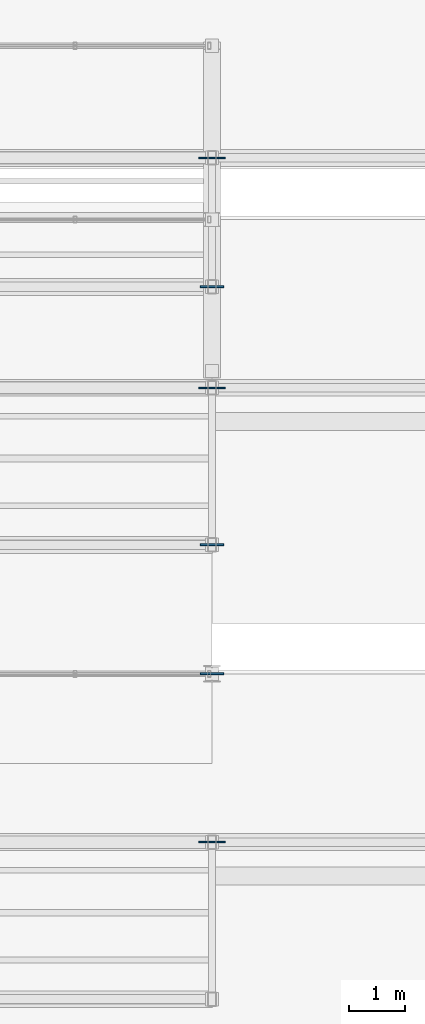
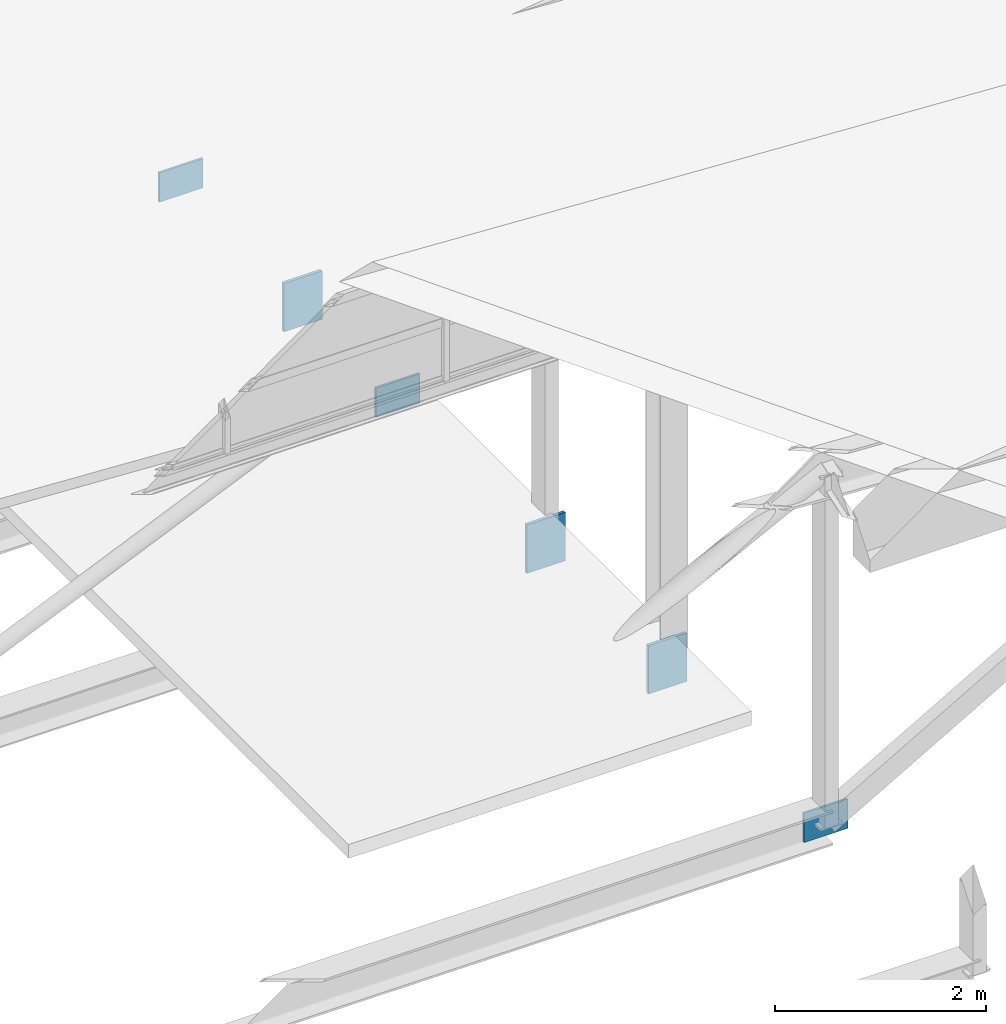
# One storey, part 138 of 141: 6 plates.
"""IFC4 building model written with IfcOpenShell, lengths in metres."""

from ifc_helpers import new_model, si_unit, direction, frame, origin, origin_2d, place, context, subcontext, project, spatial, rectangle, extrude, material, layer, layer_set, type_object, element, save


model = new_model("IFC4")

# Units and contexts
model_context = context("Model", 3, precision=1e-05, world=origin(), true_north=direction((0.0, 1.0)))
body_context = subcontext(model_context, "Body", "Model", "MODEL_VIEW")
ifc_project = project(units=[si_unit("LENGTHUNIT", "METRE"), si_unit("AREAUNIT", "SQUARE_METRE"), si_unit("VOLUMEUNIT", "CUBIC_METRE"), si_unit("PLANEANGLEUNIT", "RADIAN"), si_unit("MASSUNIT", "GRAM", prefix="KILO")], contexts=[model_context])

# Site, building, storey
site_placement = place(None, origin())
site = spatial("IfcSite", under=ifc_project, at=site_placement, CompositionType="ELEMENT")
building_placement = place(site_placement, origin())
building = spatial("IfcBuilding", under=site, at=building_placement, Name="Sundkrona Museum", CompositionType="ELEMENT")
storey_placement = place(building_placement, frame((0.0, 0.0, 34.0)))
storey = spatial("IfcBuildingStorey", under=building, at=storey_placement, Name="RF", CompositionType="ELEMENT", Elevation=34.0)

# Plates
ifc_material = material(Name="Steel S355J2", Category="steel")
ifc_layer_1 = layer(ifc_material, 0.034912109375)
ifc_layer_set_1 = layer_set([ifc_layer_1], Name="Steel S355J2")
plate_type_1 = type_object("IfcPlateType", Name="EP-1", PredefinedType="USERDEFINED", material=ifc_layer_set_1)
for number, where, z_axis, x_axis, name in (
    (1, (168.0, 36.89990234375, -0.530029296875), (0.0, 0.0, 1.0), (1.0, 0.0, 0.0), "Core Wall Cast-In Embed Plate SAW-B6-VBC-2"),
    (2, (168.0, 41.5, -0.530029296875), (0.0, 0.0, 1.0), (1.0, 0.0, 0.0), "Core Wall Cast-In Embed Plate SAW-B7-VBC-2"),
    (3, (168.0, 34.60009765625, -0.530029296875), (0.0, 0.0, 1.0), (1.0, 0.0, 0.0), "Core Wall Cast-In Embed Plate SAW-CL-PST-05E-1"),
):
    element("IfcPlate", number, at=place(storey_placement, frame(where, z_axis=z_axis, x_axis=x_axis)), inside=storey, type_object=plate_type_1, Name=name, ObjectType="GUSSET PLATE", PredefinedType="USERDEFINED", context=body_context, shape_type="SweptSolid", body=[
        extrude(rectangle(XDim=0.419921875, YDim=0.034912109375, at=origin_2d()), origin(), (0.0, 0.0, 1.0), 0.56005859375),
    ])
ifc_layer_2 = layer(ifc_material, 0.02490234375)
ifc_layer_set_2 = layer_set([ifc_layer_2], Name="Steel S355J2")
plate_type_2 = type_object("IfcPlateType", Name="GP-4", PredefinedType="USERDEFINED", material=ifc_layer_set_2)
for number, where, z_axis, x_axis, name in (
    (4, (168.0, 31.60009765625, -0.419921875), (0.0, 0.0, 1.0), (1.0, 0.0, 0.0), "Sawtooth Truss 5 East Bearing Gusset"),
    (5, (168.0, 39.699951171875, -0.419921875), (0.0, 0.0, 1.0), (1.0, 0.0, 0.0), "Sawtooth Truss 6 East Bearing Gusset"),
    (6, (168.0, 43.800048828125, -0.419921875), (0.0, 0.0, 1.0), (1.0, 0.0, 0.0), "Sawtooth Truss 7 East Bearing Gusset"),
):
    element("IfcPlate", number, at=place(storey_placement, frame(where, z_axis=z_axis, x_axis=x_axis)), inside=storey, type_object=plate_type_2, Name=name, ObjectType="GUSSET PLATE", PredefinedType="USERDEFINED", context=body_context, shape_type="SweptSolid", body=[
        extrude(rectangle(XDim=0.47998046875, YDim=0.02490234375, at=origin_2d()), origin(), (0.0, 0.0, 1.0), 0.340087890625),
    ])

save(model, "model.ifc")
